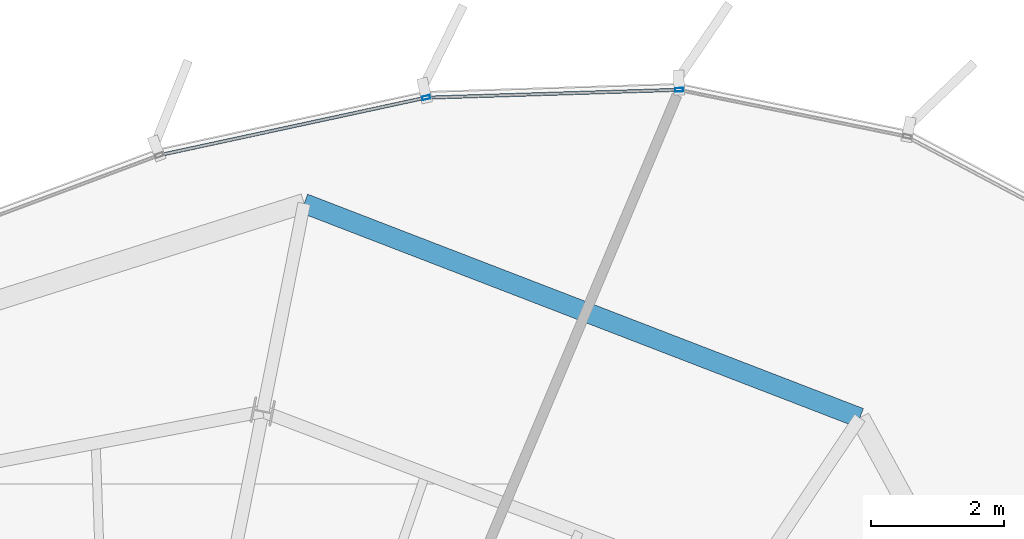
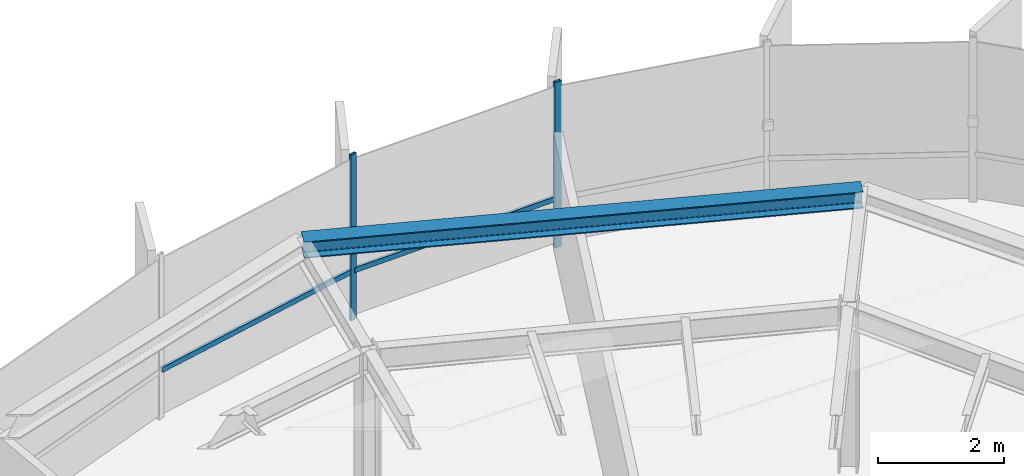
# One storey, part 24 of 35: 4 members, 1 beam, 1 element without a shape of its own.
"""IFC4 building model written with IfcOpenShell, lengths in metres."""

from ifc_helpers import new_model, si_unit, direction, frame, origin, origin_2d, place, context, subcontext, project, spatial, hollow_rectangle, i_section, extrude, source, transform, mapped, material, layer, layer_set, material_profile, profile_set, type_object, element, aggregate, save


model = new_model("IFC4")

# Units and contexts
model_context = context("Model", 3, precision=1e-05, world=origin(), true_north=direction((0.0, 1.0)))
body_context = subcontext(model_context, "Body", "Model", "MODEL_VIEW")
ifc_project = project(units=[si_unit("LENGTHUNIT", "METRE"), si_unit("AREAUNIT", "SQUARE_METRE"), si_unit("VOLUMEUNIT", "CUBIC_METRE"), si_unit("PLANEANGLEUNIT", "RADIAN"), si_unit("MASSUNIT", "GRAM", prefix="KILO"), si_unit("THERMODYNAMICTEMPERATUREUNIT", "KELVIN")], contexts=[model_context])

# Site, building, storey
site_placement = place(None, origin())
site = spatial("IfcSite", under=ifc_project, at=site_placement, CompositionType="ELEMENT")
building_placement = place(site_placement, origin())
building = spatial("IfcBuilding", under=site, at=building_placement, Name="Kethvar Cultural Tower", CompositionType="ELEMENT")
storey_placement = place(building_placement, frame((0.0, 0.0, 249.10009765625)))
storey = spatial("IfcBuildingStorey", under=building, at=storey_placement, Name="L65", CompositionType="ELEMENT", Elevation=249.10009765625)

# Beam
ifc_material_1 = material(Name="Steel S355J2", Category="steel")
ifc_material_profile_1 = material_profile(ifc_material_1, i_section(OverallWidth=0.300048828125, OverallDepth=0.320068359375, WebThickness=0.011474609375, FlangeThickness=0.0205078125, FilletRadius=0.027099609375, at=origin_2d()), Name="Steel S355J2 — HEB320")
ifc_profile_set_1 = profile_set([ifc_material_profile_1], Name="Steel S355J2 — HEB320")
beam_type = type_object("IfcBeamType", Name="BM-SP320", PredefinedType="SPANDREL", material=ifc_profile_set_1)
shared_shape_1 = source(origin(), body_context, "Body", "SweptSolid", [
    extrude(i_section(OverallWidth=0.300048828125, OverallDepth=0.320068359375, WebThickness=0.011474609375, FlangeThickness=0.0205078125, FilletRadius=0.027099609375, at=origin_2d()), origin(), (0.0, 0.0, 1.0), 8.98583984375),
])
beam_placement = place(storey_placement, frame((59.653076171875, 47.035888671875, 3.0478515625), z_axis=(-0.932983803051, 0.359918356359, 0.0), x_axis=(-0.359918356359, -0.932983803051, 0.0)))
element("IfcBeam", 1, at=beam_placement, inside=storey, type_object=beam_type, Name="L65 Perimeter Spandrel Beam SP-03", PredefinedType="SPANDREL", context=body_context, shape_type="MappedRepresentation", body=[
    mapped(shared_shape_1, transform((0.0, 0.0, 0.0), scale=1.0)),
])

# Curtain wall, members
ifc_material_2 = material(Name="Aluminium 6063-T6", Category="aluminium")
ifc_layer = layer(ifc_material_2, 0.179931640625, Name="Aluminium 6063-T6", Category="aluminium")
ifc_layer_set = layer_set([ifc_layer], Name="Aluminium 6063-T6 (180 mm)")
curtain_wall_type = type_object("IfcCurtainWallType", Name="CW-SYS-05-Z56", PredefinedType="NOTDEFINED", material=ifc_layer_set)
curtain_wall_placement = place(storey_placement, origin())
curtain_wall = element("IfcCurtainWall", 2, at=curtain_wall_placement, inside=storey, type_object=curtain_wall_type, Name="L65 Curtain Wall Run 01", PredefinedType="NOTDEFINED")
ifc_material_profile_2 = material_profile(ifc_material_2, hollow_rectangle(XDim=0.054931640625, YDim=0.1201171875, WallThickness=0.00390625, at=origin_2d()), Name="Aluminium 6063-T6 — RHS120x55x4")
ifc_profile_set_2 = profile_set([ifc_material_profile_2], Name="Aluminium 6063-T6 — RHS120x55x4")
member_type_1 = type_object("IfcMemberType", Name="CW-SYS-05-Z56-MUL", PredefinedType="MULLION", material=ifc_profile_set_2)
shared_shape_2 = source(origin(), body_context, "Body", "SweptSolid", [
    extrude(hollow_rectangle(XDim=0.054931640625, YDim=0.1201171875, WallThickness=0.00390625, at=origin_2d()), origin(), (0.0, 0.0, 1.0), 3.2099609375),
])
member_1_placement = place(storey_placement, frame((56.927734375, 51.98486328125, 0.0), z_axis=(0.0, 0.0, 1.0), x_axis=(0.031288646081, -0.999510390454, 0.0)))
member_1 = element("IfcMember", 3, at=member_1_placement, type_object=member_type_1, Name="CW-L65-R01 Mullion 3", PredefinedType="MULLION", context=body_context, shape_type="MappedRepresentation", body=[
    mapped(shared_shape_2, transform((0.0, 0.0, 0.0), scale=1.0)),
])
member_2_placement = place(storey_placement, frame((53.110107421875, 51.8671875, 0.0), z_axis=(0.0, 0.0, 1.0), x_axis=(0.211034782024, -0.977478552591, 0.0)))
member_2 = element("IfcMember", 4, at=member_2_placement, type_object=member_type_1, Name="CW-L65-R01 Mullion 4", PredefinedType="MULLION", context=body_context, shape_type="MappedRepresentation", body=[
    mapped(shared_shape_2, transform((0.0, 0.0, 0.0), scale=1.0)),
])
ifc_material_profile_3 = material_profile(ifc_material_2, hollow_rectangle(XDim=0.050048828125, YDim=0.10009765625, WallThickness=0.00390625, at=origin_2d()), Name="Aluminium 6063-T6 — RHS100x50x4")
ifc_profile_set_3 = profile_set([ifc_material_profile_3], Name="Aluminium 6063-T6 — RHS100x50x4")
member_type_2 = type_object("IfcMemberType", Name="CW-SYS-05-Z56-TRN", PredefinedType="USERDEFINED", material=ifc_profile_set_3)
shared_shape_3 = source(origin(), body_context, "Body", "SweptSolid", [
    extrude(hollow_rectangle(XDim=0.050048828125, YDim=0.10009765625, WallThickness=0.00390625, at=origin_2d()), origin(), (0.0, 0.0, 1.0), 3.758544921875),
])
member_3_placement = place(storey_placement, frame((56.88818359375, 51.983642578125, 0.949951171875), z_axis=(-0.999511759166, -0.031244892192, 0.0), x_axis=(0.031244892192, -0.999511759166, 0.0)))
member_3 = element("IfcMember", 5, at=member_3_placement, type_object=member_type_2, Name="CW-L65-R01 Transom 3", ObjectType="TRANSOM", PredefinedType="USERDEFINED", context=body_context, shape_type="MappedRepresentation", body=[
    mapped(shared_shape_3, transform((0.0, 0.0, 0.0), scale=1.0)),
])
shared_shape_4 = source(origin(), body_context, "Body", "SweptSolid", [
    extrude(hollow_rectangle(XDim=0.050048828125, YDim=0.10009765625, WallThickness=0.00390625, at=origin_2d()), origin(), (0.0, 0.0, 1.0), 4.05419921875),
])
member_4_placement = place(storey_placement, frame((53.0712890625, 51.858642578125, 0.949951171875), z_axis=(-0.977484038914, -0.211009368676, 0.0), x_axis=(0.211009368676, -0.977484038914, 0.0)))
member_4 = element("IfcMember", 6, at=member_4_placement, type_object=member_type_2, Name="CW-L65-R01 Transom 4", ObjectType="TRANSOM", PredefinedType="USERDEFINED", context=body_context, shape_type="MappedRepresentation", body=[
    mapped(shared_shape_4, transform((0.0, 0.0, 0.0), scale=1.0)),
])
aggregate(curtain_wall, [member_1, member_2, member_3, member_4])

save(model, "model.ifc")
